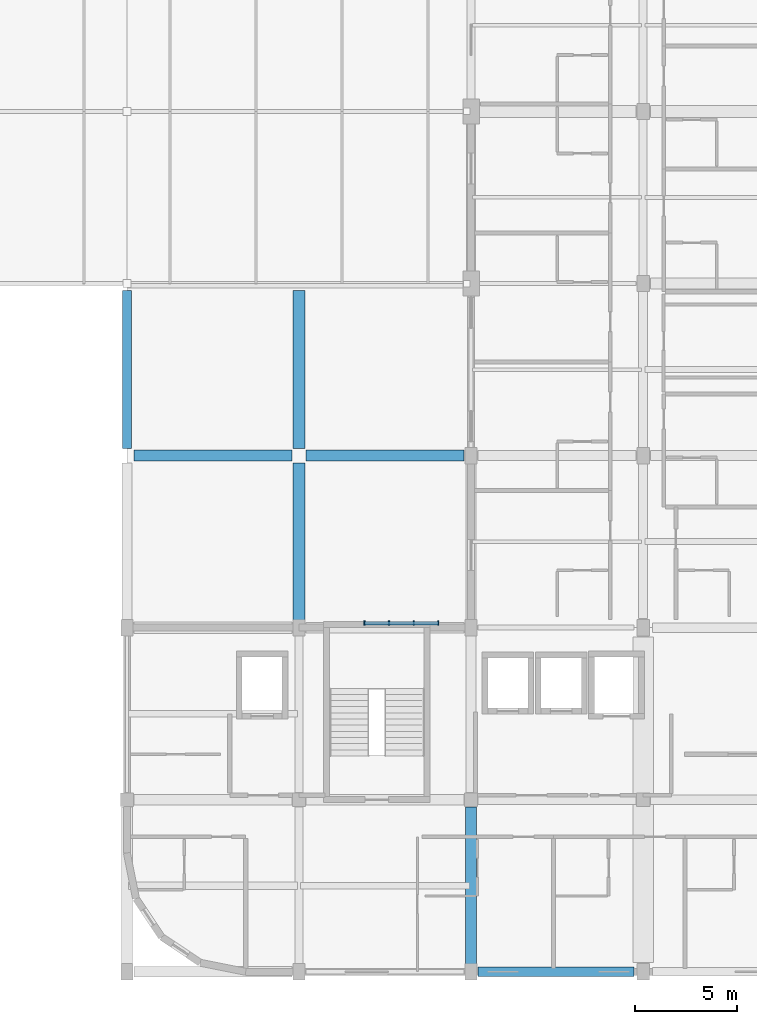
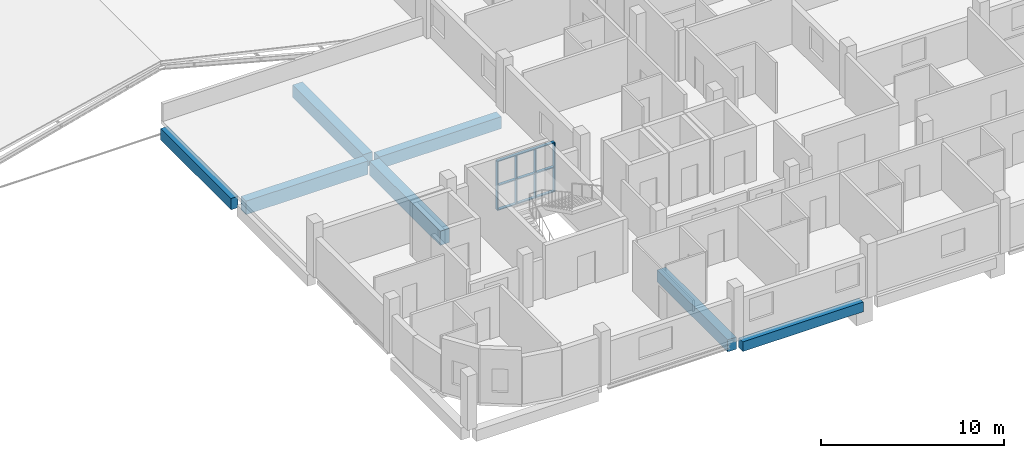
# One storey, part 2 of 42: 7 beams, 7 members, 1 element without a shape of its own.
"""IFC4 building model written with IfcOpenShell, lengths in metres."""

from ifc_helpers import new_model, si_unit, derived_unit, direction, frame, origin, origin_2d, place, context, subcontext, project, spatial, rectangle, extrude, material, material_profile, profile_set, type_object, element, aggregate, save


model = new_model("IFC4")

# Units and contexts
model_context = context("Model", 3, precision=1e-05, world=origin(), true_north=direction((0.0, 1.0)))
body_context = subcontext(model_context, "Body", "Model", "MODEL_VIEW")
ifc_project = project(units=[si_unit("LENGTHUNIT", "METRE"), si_unit("AREAUNIT", "SQUARE_METRE"), si_unit("VOLUMEUNIT", "CUBIC_METRE"), si_unit("PLANEANGLEUNIT", "RADIAN"), si_unit("MASSUNIT", "GRAM", prefix="KILO"), derived_unit("THERMALTRANSMITTANCEUNIT", [(si_unit("POWERUNIT", "WATT"), 1), (si_unit("LENGTHUNIT", "METRE"), -2), (si_unit("THERMODYNAMICTEMPERATUREUNIT", "KELVIN"), -1)])], contexts=[model_context])

# Site, building, storey
site_placement = place(None, origin())
site = spatial("IfcSite", under=ifc_project, at=site_placement, CompositionType="ELEMENT")
building_placement = place(site_placement, origin())
building = spatial("IfcBuilding", under=site, at=building_placement, Name="Barrovel Congress Hotel", CompositionType="ELEMENT")
storey_placement = place(building_placement, frame((0.0, 0.0, 18.300048828125)))
storey = spatial("IfcBuildingStorey", under=building, at=storey_placement, Name="L04", CompositionType="ELEMENT", Elevation=18.300048828125)

# Beams
ifc_material_1 = material(Name="Concrete C40", Category="concrete")
ifc_material_profile_1 = material_profile(ifc_material_1, rectangle(XDim=0.449951171875, YDim=0.64990234375, at=origin_2d()), Name="RC450x650")
ifc_profile_set_1 = profile_set([ifc_material_profile_1], Name="Concrete C40")
beam_type_1 = type_object("IfcBeamType", Name="BM-RC450x650", PredefinedType="BEAM", material=ifc_profile_set_1)
beam_1_placement = place(storey_placement, frame((33.949951171875, 4.199951171875, -0.625), z_axis=(1.0, 0.0, 0.0), x_axis=(0.0, 1.0, 0.0)))
element("IfcBeam", 1, at=beam_1_placement, inside=storey, type_object=beam_type_1, Name="BMX:L04:4.2:33.6-42.0", PredefinedType="BEAM", context=body_context, shape_type="SweptSolid", body=[
    extrude(rectangle(XDim=0.449951171875, YDim=0.64990234375, at=origin_2d()), origin(), (0.0, 0.0, 1.0), 7.60009765625),
])
ifc_material_profile_2 = material_profile(ifc_material_1, rectangle(XDim=0.449951171875, YDim=0.75, at=origin_2d()), Name="RC450x750")
ifc_profile_set_2 = profile_set([ifc_material_profile_2], Name="Concrete C40")
beam_type_2 = type_object("IfcBeamType", Name="BM-RC450x750", PredefinedType="BEAM", material=ifc_profile_set_2)
beam_2_placement = place(storey_placement, frame((16.800048828125, 29.75, -0.675048828125), z_axis=(0.0, 1.0, 0.0), x_axis=(-1.0, 0.0, 0.0)))
element("IfcBeam", 2, at=beam_2_placement, inside=storey, type_object=beam_type_2, Name="BMY:L04:16.8:29.4-37.8", PredefinedType="BEAM", context=body_context, shape_type="SweptSolid", body=[
    extrude(rectangle(XDim=0.449951171875, YDim=0.75, at=origin_2d()), origin(), (0.0, 0.0, 1.0), 7.699951171875),
])
ifc_material_profile_3 = material_profile(ifc_material_1, rectangle(XDim=0.550048828125, YDim=0.800048828125, at=origin_2d()), Name="RC550x800")
ifc_profile_set_3 = profile_set([ifc_material_profile_3], Name="Concrete C40")
beam_type_3 = type_object("IfcBeamType", Name="BM-RC550x800", PredefinedType="BEAM", material=ifc_profile_set_3)
for number, where, z_axis, x_axis, name in (
    (3, (25.550048828125, 29.39990234375, -0.699951171875), (1.0, 0.0, 0.0), (0.0, 1.0, 0.0), "BMX:L04:29.4:25.2-33.6"),
    (4, (33.60009765625, 4.550048828125, -0.699951171875), (0.0, 1.0, 0.0), (-1.0, 0.0, 0.0), "BMY:L04:33.6:4.2-12.6"),
):
    element("IfcBeam", number, at=place(storey_placement, frame(where, z_axis=z_axis, x_axis=x_axis)), inside=storey, type_object=beam_type_3, Name=name, PredefinedType="BEAM", context=body_context, shape_type="SweptSolid", body=[
        extrude(rectangle(XDim=0.550048828125, YDim=0.800048828125, at=origin_2d()), origin(), (0.0, 0.0, 1.0), 7.699951171875),
    ])
ifc_material_profile_4 = material_profile(ifc_material_1, rectangle(XDim=0.550048828125, YDim=0.89990234375, at=origin_2d()), Name="RC550x900")
ifc_profile_set_4 = profile_set([ifc_material_profile_4], Name="Concrete C40")
beam_type_4 = type_object("IfcBeamType", Name="BM-RC550x900", PredefinedType="BEAM", material=ifc_profile_set_4)
beam_3_placement = place(storey_placement, frame((17.14990234375, 29.39990234375, -0.75), z_axis=(1.0, 0.0, 0.0), x_axis=(0.0, 1.0, 0.0)))
element("IfcBeam", 5, at=beam_3_placement, inside=storey, type_object=beam_type_4, Name="BMX:L04:29.4:16.8-25.2", PredefinedType="BEAM", context=body_context, shape_type="SweptSolid", body=[
    extrude(rectangle(XDim=0.550048828125, YDim=0.89990234375, at=origin_2d()), origin(), (0.0, 0.0, 1.0), 7.7001953125),
])
ifc_material_profile_5 = material_profile(ifc_material_1, rectangle(XDim=0.60009765625, YDim=0.85009765625, at=origin_2d()), Name="RC600x850")
ifc_profile_set_5 = profile_set([ifc_material_profile_5], Name="Concrete C40")
beam_type_5 = type_object("IfcBeamType", Name="BM-RC600x850", PredefinedType="BEAM", material=ifc_profile_set_5)
beam_4_placement = place(storey_placement, frame((25.199951171875, 29.75, -0.72509765625), z_axis=(0.0, 1.0, 0.0), x_axis=(-1.0, 0.0, 0.0)))
element("IfcBeam", 6, at=beam_4_placement, inside=storey, type_object=beam_type_5, Name="BMY:L04:25.2:29.4-37.8", PredefinedType="BEAM", context=body_context, shape_type="SweptSolid", body=[
    extrude(rectangle(XDim=0.60009765625, YDim=0.85009765625, at=origin_2d()), origin(), (0.0, 0.0, 1.0), 7.699951171875),
])
ifc_material_profile_6 = material_profile(ifc_material_1, rectangle(XDim=0.60009765625, YDim=0.949951171875, at=origin_2d()), Name="RC600x950")
ifc_profile_set_6 = profile_set([ifc_material_profile_6], Name="Concrete C40")
beam_type_6 = type_object("IfcBeamType", Name="BM-RC600x950", PredefinedType="BEAM", material=ifc_profile_set_6)
beam_5_placement = place(storey_placement, frame((25.199951171875, 21.35009765625, -0.775146484375), z_axis=(0.0, 1.0, 0.0), x_axis=(-1.0, 0.0, 0.0)))
element("IfcBeam", 7, at=beam_5_placement, inside=storey, type_object=beam_type_6, Name="BMY:L04:25.2:21.0-29.4", PredefinedType="BEAM", context=body_context, shape_type="SweptSolid", body=[
    extrude(rectangle(XDim=0.60009765625, YDim=0.949951171875, at=origin_2d()), origin(), (0.0, 0.0, 1.0), 7.699951171875),
])

# Curtain wall, members
ifc_material_2 = material(Name="Anodised Aluminium Alloy 6063-T6", Category="aluminium")
curtain_wall_type = type_object("IfcCurtainWallType", Name="CW-UN-3600x3200", PredefinedType="USERDEFINED", material=ifc_material_2)
curtain_wall_placement = place(storey_placement, origin())
curtain_wall = element("IfcCurtainWall", 8, at=curtain_wall_placement, inside=storey, type_object=curtain_wall_type, Name="CW:L04:UN-3", ObjectType="UNITISED CURTAIN WALL", PredefinedType="USERDEFINED")
ifc_material_profile_7 = material_profile(ifc_material_2, rectangle(XDim=0.06494140625, YDim=0.219970703125, at=origin_2d()), Name="AL-M65x220")
ifc_profile_set_7 = profile_set([ifc_material_profile_7], Name="Anodised Aluminium Alloy 6063-T6")
member_type_1 = type_object("IfcMemberType", Name="CWM-AL-M65x220", PredefinedType="MULLION", material=ifc_profile_set_7)
member_1_placement = place(storey_placement, frame((28.39990234375, 21.219970703125, 0.0), z_axis=(0.0, 0.0, 1.0), x_axis=(1.0, 0.0, 0.0)))
member_1 = element("IfcMember", 9, at=member_1_placement, type_object=member_type_1, Name="CW:L04:UN-3:M0", PredefinedType="MULLION", context=body_context, shape_type="SweptSolid", body=[
    extrude(rectangle(XDim=0.06494140625, YDim=0.219970703125, at=origin_2d()), origin(), (0.0, 0.0, 1.0), 3.25),
])
member_2_placement = place(storey_placement, frame((29.60009765625, 21.219970703125, 0.0), z_axis=(0.0, 0.0, 1.0), x_axis=(1.0, 0.0, 0.0)))
member_2 = element("IfcMember", 10, at=member_2_placement, type_object=member_type_1, Name="CW:L04:UN-3:M1", PredefinedType="MULLION", context=body_context, shape_type="SweptSolid", body=[
    extrude(rectangle(XDim=0.06494140625, YDim=0.219970703125, at=origin_2d()), origin(), (0.0, 0.0, 1.0), 3.25),
])
member_3_placement = place(storey_placement, frame((30.800048828125, 21.219970703125, 0.0), z_axis=(0.0, 0.0, 1.0), x_axis=(1.0, 0.0, 0.0)))
member_3 = element("IfcMember", 11, at=member_3_placement, type_object=member_type_1, Name="CW:L04:UN-3:M2", PredefinedType="MULLION", context=body_context, shape_type="SweptSolid", body=[
    extrude(rectangle(XDim=0.06494140625, YDim=0.219970703125, at=origin_2d()), origin(), (0.0, 0.0, 1.0), 3.25),
])
member_4_placement = place(storey_placement, frame((32.0, 21.219970703125, 0.0), z_axis=(0.0, 0.0, 1.0), x_axis=(1.0, 0.0, 0.0)))
member_4 = element("IfcMember", 12, at=member_4_placement, type_object=member_type_1, Name="CW:L04:UN-3:M3", PredefinedType="MULLION", context=body_context, shape_type="SweptSolid", body=[
    extrude(rectangle(XDim=0.06494140625, YDim=0.219970703125, at=origin_2d()), origin(), (0.0, 0.0, 1.0), 3.25),
])
ifc_material_profile_8 = material_profile(ifc_material_2, rectangle(XDim=0.179931640625, YDim=0.06494140625, at=origin_2d()), Name="AL-T65x180")
ifc_profile_set_8 = profile_set([ifc_material_profile_8], Name="Anodised Aluminium Alloy 6063-T6")
member_type_2 = type_object("IfcMemberType", Name="CWT-AL-T65x180", PredefinedType="USERDEFINED", material=ifc_profile_set_8)
member_5_placement = place(storey_placement, frame((28.39990234375, 21.219970703125, 0.0), z_axis=(1.0, 0.0, 0.0), x_axis=(0.0, 1.0, 0.0)))
member_5 = element("IfcMember", 13, at=member_5_placement, type_object=member_type_2, Name="CW:L04:UN-3:T0", ObjectType="TRANSOM", PredefinedType="USERDEFINED", context=body_context, shape_type="SweptSolid", body=[
    extrude(rectangle(XDim=0.179931640625, YDim=0.06494140625, at=origin_2d()), origin(), (0.0, 0.0, 1.0), 3.60009765625),
])
member_6_placement = place(storey_placement, frame((28.39990234375, 21.219970703125, 1.625), z_axis=(1.0, 0.0, 0.0), x_axis=(0.0, 1.0, 0.0)))
member_6 = element("IfcMember", 14, at=member_6_placement, type_object=member_type_2, Name="CW:L04:UN-3:T1", ObjectType="TRANSOM", PredefinedType="USERDEFINED", context=body_context, shape_type="SweptSolid", body=[
    extrude(rectangle(XDim=0.179931640625, YDim=0.06494140625, at=origin_2d()), origin(), (0.0, 0.0, 1.0), 3.60009765625),
])
member_7_placement = place(storey_placement, frame((28.39990234375, 21.219970703125, 3.25), z_axis=(1.0, 0.0, 0.0), x_axis=(0.0, 1.0, 0.0)))
member_7 = element("IfcMember", 15, at=member_7_placement, type_object=member_type_2, Name="CW:L04:UN-3:T2", ObjectType="TRANSOM", PredefinedType="USERDEFINED", context=body_context, shape_type="SweptSolid", body=[
    extrude(rectangle(XDim=0.179931640625, YDim=0.06494140625, at=origin_2d()), origin(), (0.0, 0.0, 1.0), 3.60009765625),
])
aggregate(curtain_wall, [member_1, member_2, member_3, member_4, member_5, member_6, member_7])

save(model, "model.ifc")
